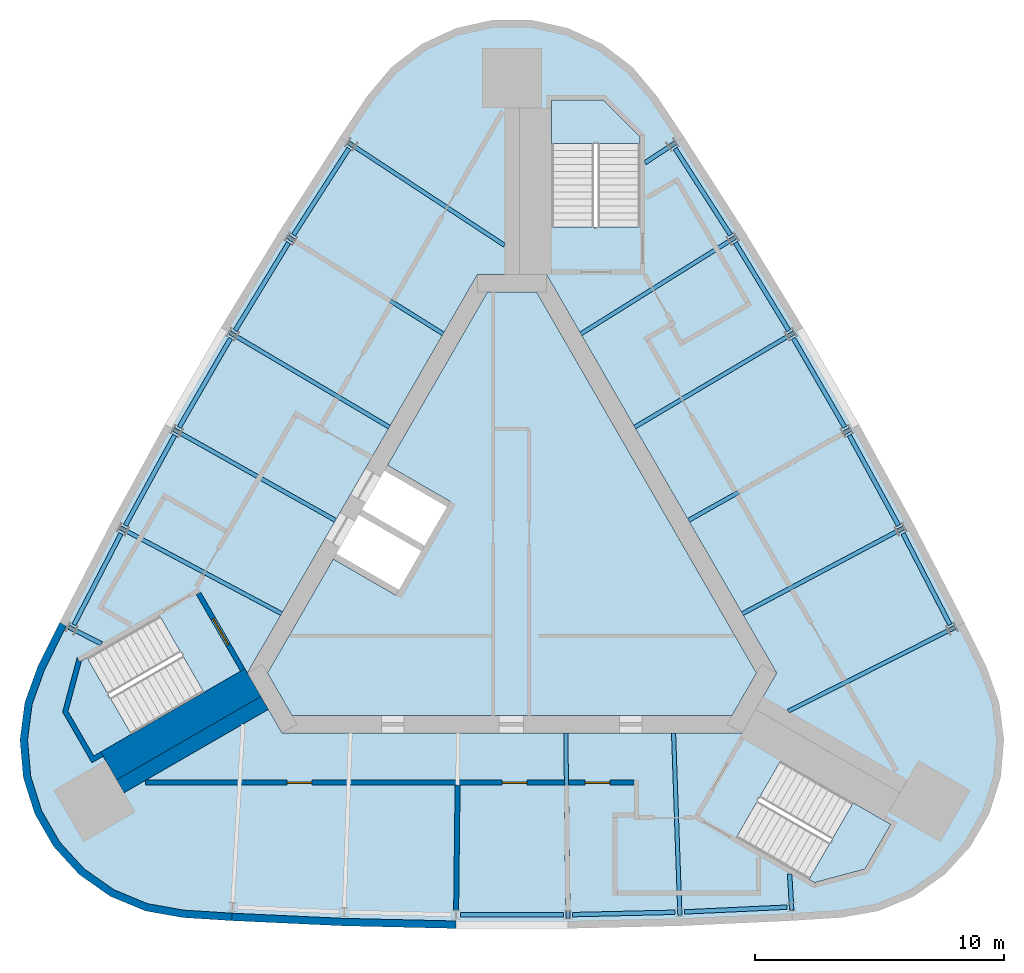
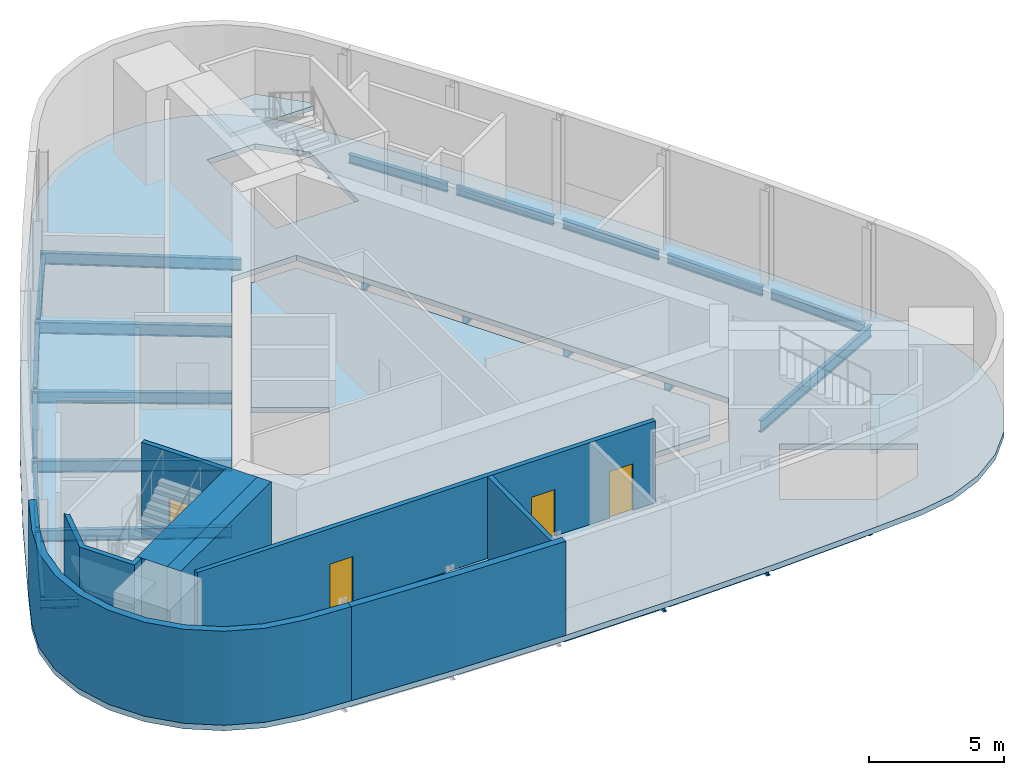
# One storey, part 3 of 7: 28 beams, 8 walls, 5 slabs, 4 doors, 4 openings, 3 elements without a shape of their own.
"""IFC4 building model written with IfcOpenShell, lengths in metres."""

from ifc_helpers import new_model, si_unit, direction, frame, frame_2d, origin, origin_2d, place, context, subcontext, project, spatial, polyline, rectangle, i_section, outline, extrude, material, layer, layer_set, material_profile, profile_set, type_object, element, fill, aggregate, save


model = new_model("IFC4")

# Units and contexts
model_context = context("Model", 3, precision=1e-05, world=origin(), true_north=direction((0.0, 1.0)))
body_context = subcontext(model_context, "Body", "Model", "MODEL_VIEW")
ifc_project = project(units=[si_unit("LENGTHUNIT", "METRE"), si_unit("AREAUNIT", "SQUARE_METRE"), si_unit("VOLUMEUNIT", "CUBIC_METRE"), si_unit("PLANEANGLEUNIT", "RADIAN"), si_unit("MASSUNIT", "GRAM", prefix="KILO")], contexts=[model_context])

# Site, building, storey
site_placement = place(None, origin())
site = spatial("IfcSite", under=ifc_project, at=site_placement, CompositionType="ELEMENT")
building_placement = place(site_placement, origin())
building = spatial("IfcBuilding", under=site, at=building_placement, Name="Noor Cloister Tower", CompositionType="ELEMENT")
storey_placement = place(building_placement, frame((0.0, 0.0, 284.10009765625)))
storey = spatial("IfcBuildingStorey", under=building, at=storey_placement, Name="L72", CompositionType="ELEMENT", Elevation=284.10009765625)

# Beams
ifc_material_1 = material(Name="Steel ASTM A992 Gr 50", Category="steel")
ifc_material_profile_1 = material_profile(ifc_material_1, i_section(OverallWidth=0.177978515625, OverallDepth=0.406005859375, WebThickness=0.0078125, FlangeThickness=0.0126953125, FilletRadius=0.01025390625, at=origin_2d()), Name="W410x60")
ifc_profile_set_1 = profile_set([ifc_material_profile_1], Name="Steel ASTM A992 Gr 50")
beam_type_1 = type_object("IfcBeamType", Name="Radial beam W410x60", PredefinedType="BEAM", material=ifc_profile_set_1)
for number, where, z_axis, x_axis, name in (
    (1, (-17.762451171875, -2.69921875, -0.453125), (0.893513410786, -0.449036507141, 0.0), (0.449036507141, 0.893513410786, 0.0), "Radial beam NW 06 L72"),
    (2, (11.218994140625, -14.033203125, -0.453125), (-0.058088486933, 0.998311438222, 0.0), (-0.998311438222, -0.058088486933, 0.0), "Radial beam S 06 L72"),
    (3, (6.543701171875, 16.732421875, -0.453125), (-0.835592525802, -0.549349734526, 0.0), (0.549349734526, -0.835592525802, 0.0), "Radial beam NE 06 L72"),
):
    element("IfcBeam", number, at=place(storey_placement, frame(where, z_axis=z_axis, x_axis=x_axis)), inside=storey, type_object=beam_type_1, Name=name, PredefinedType="BEAM", context=body_context, shape_type="SweptSolid", body=[
        extrude(i_section(OverallWidth=0.177978515625, OverallDepth=0.406005859375, WebThickness=0.0078125, FlangeThickness=0.0126953125, FilletRadius=0.01025390625, at=origin_2d()), origin(), (0.0, 0.0, 1.0), 1.44580078125),
    ])
ifc_material_2 = material(Name="Steel ASTM A992 Gr 50", Category="steel")
ifc_material_profile_2 = material_profile(ifc_material_2, i_section(OverallWidth=0.166015625, OverallDepth=0.528076171875, WebThickness=0.009765625, FlangeThickness=0.013671875, FilletRadius=0.0126953125, at=origin_2d()), Name="W530x74")
ifc_profile_set_2 = profile_set([ifc_material_profile_2], Name="Steel ASTM A992 Gr 50")
beam_type_2 = type_object("IfcBeamType", Name="Radial beam W530x74", PredefinedType="BEAM", material=ifc_profile_set_2)
beam_1_placement = place(storey_placement, frame((-6.543701171875, 16.732421875, -0.51416015625), z_axis=(0.835597066484, -0.549342827825, 0.0), x_axis=(0.549342827825, 0.835597066484, 0.0)))
element("IfcBeam", 4, at=beam_1_placement, inside=storey, type_object=beam_type_2, Name="Radial beam NW 01 L72", PredefinedType="BEAM", context=body_context, shape_type="SweptSolid", body=[
    extrude(i_section(OverallWidth=0.166015625, OverallDepth=0.528076171875, WebThickness=0.009765625, FlangeThickness=0.013671875, FilletRadius=0.0126953125, at=origin_2d()), origin(), (0.0, 0.0, 1.0), 7.47216796875),
])
beam_2_placement = place(storey_placement, frame((-8.966552734375, 12.952392578125, -0.51416015625), z_axis=(0.848095755563, -0.529842985606, 0.0), x_axis=(0.529842985606, 0.848095755563, 0.0)))
element("IfcBeam", 5, at=beam_2_placement, inside=storey, type_object=beam_type_2, Name="Radial beam NW 02 L72", PredefinedType="BEAM", context=body_context, shape_type="SweptSolid", body=[
    extrude(i_section(OverallWidth=0.166015625, OverallDepth=0.528076171875, WebThickness=0.009765625, FlangeThickness=0.013671875, FilletRadius=0.0126953125, at=origin_2d()), origin(), (0.0, 0.0, 1.0), 7.317626953125),
])
beam_3_placement = place(storey_placement, frame((-11.301025390625, 9.116943359375, -0.51416015625), z_axis=(0.8601674766, -0.510011678492, 0.0), x_axis=(0.510011678492, 0.8601674766, 0.0)))
element("IfcBeam", 6, at=beam_3_placement, inside=storey, type_object=beam_type_2, Name="Radial beam NW 03 L72", PredefinedType="BEAM", context=body_context, shape_type="SweptSolid", body=[
    extrude(i_section(OverallWidth=0.166015625, OverallDepth=0.528076171875, WebThickness=0.009765625, FlangeThickness=0.013671875, FilletRadius=0.0126953125, at=origin_2d()), origin(), (0.0, 0.0, 1.0), 7.41796875),
])
beam_4_placement = place(storey_placement, frame((-13.546142578125, 5.228515625, -0.51416015625), z_axis=(0.871771481583, -0.489912730901, 0.0), x_axis=(0.489912730901, 0.871771481583, 0.0)))
element("IfcBeam", 7, at=beam_4_placement, inside=storey, type_object=beam_type_2, Name="Radial beam NW 04 L72", PredefinedType="BEAM", context=body_context, shape_type="SweptSolid", body=[
    extrude(i_section(OverallWidth=0.166015625, OverallDepth=0.528076171875, WebThickness=0.009765625, FlangeThickness=0.013671875, FilletRadius=0.0126953125, at=origin_2d()), origin(), (0.0, 0.0, 1.0), 7.417724609375),
])
beam_5_placement = place(storey_placement, frame((-15.7001953125, 1.2890625, -0.51416015625), z_axis=(0.882900936167, -0.469559300745, 0.0), x_axis=(0.469559300745, 0.882900936167, 0.0)))
element("IfcBeam", 8, at=beam_5_placement, inside=storey, type_object=beam_type_2, Name="Radial beam NW 05 L72", PredefinedType="BEAM", context=body_context, shape_type="SweptSolid", body=[
    extrude(i_section(OverallWidth=0.166015625, OverallDepth=0.528076171875, WebThickness=0.009765625, FlangeThickness=0.013671875, FilletRadius=0.0126953125, at=origin_2d()), origin(), (0.0, 0.0, 1.0), 7.317626953125),
])
beam_6_placement = place(storey_placement, frame((2.244873046875, -14.345458984375, -0.51416015625), z_axis=(-0.011585411151, 0.999932886872, 0.0), x_axis=(-0.999932886872, -0.011585411151, 0.0)))
element("IfcBeam", 9, at=beam_6_placement, inside=storey, type_object=beam_type_2, Name="Radial beam S 04 L72", PredefinedType="BEAM", context=body_context, shape_type="SweptSolid", body=[
    extrude(i_section(OverallWidth=0.166015625, OverallDepth=0.528076171875, WebThickness=0.009765625, FlangeThickness=0.013671875, FilletRadius=0.0126953125, at=origin_2d()), origin(), (0.0, 0.0, 1.0), 7.417724609375),
])
beam_7_placement = place(storey_placement, frame((6.733642578125, -14.241455078125, -0.51416015625), z_axis=(-0.034764484893, 0.999395532605, 0.0), x_axis=(-0.999395532605, -0.034764484893, 0.0)))
element("IfcBeam", 10, at=beam_7_placement, inside=storey, type_object=beam_type_2, Name="Radial beam S 05 L72", PredefinedType="BEAM", context=body_context, shape_type="SweptSolid", body=[
    extrude(i_section(OverallWidth=0.166015625, OverallDepth=0.528076171875, WebThickness=0.009765625, FlangeThickness=0.013671875, FilletRadius=0.0126953125, at=origin_2d()), origin(), (0.0, 0.0, 1.0), 7.317626953125),
])
beam_8_placement = place(storey_placement, frame((17.762451171875, -2.69921875, -0.51416015625), z_axis=(-0.893543245424, -0.448977135897, 0.0), x_axis=(0.448977135897, -0.893543245424, 0.0)))
element("IfcBeam", 11, at=beam_8_placement, inside=storey, type_object=beam_type_2, Name="Radial beam NE 01 L72", PredefinedType="BEAM", context=body_context, shape_type="SweptSolid", body=[
    extrude(i_section(OverallWidth=0.166015625, OverallDepth=0.528076171875, WebThickness=0.009765625, FlangeThickness=0.013671875, FilletRadius=0.0126953125, at=origin_2d()), origin(), (0.0, 0.0, 1.0), 7.471923828125),
])
beam_9_placement = place(storey_placement, frame((15.7001953125, 1.2890625, -0.51416015625), z_axis=(-0.882900936167, -0.469559300745, 0.0), x_axis=(0.469559300745, -0.882900936167, 0.0)))
element("IfcBeam", 12, at=beam_9_placement, inside=storey, type_object=beam_type_2, Name="Radial beam NE 02 L72", PredefinedType="BEAM", context=body_context, shape_type="SweptSolid", body=[
    extrude(i_section(OverallWidth=0.166015625, OverallDepth=0.528076171875, WebThickness=0.009765625, FlangeThickness=0.013671875, FilletRadius=0.0126953125, at=origin_2d()), origin(), (0.0, 0.0, 1.0), 7.317626953125),
])
beam_10_placement = place(storey_placement, frame((13.546142578125, 5.228515625, -0.51416015625), z_axis=(-0.871771481583, -0.489912730901, 0.0), x_axis=(0.489912730901, -0.871771481583, 0.0)))
element("IfcBeam", 13, at=beam_10_placement, inside=storey, type_object=beam_type_2, Name="Radial beam NE 03 L72", PredefinedType="BEAM", context=body_context, shape_type="SweptSolid", body=[
    extrude(i_section(OverallWidth=0.166015625, OverallDepth=0.528076171875, WebThickness=0.009765625, FlangeThickness=0.013671875, FilletRadius=0.0126953125, at=origin_2d()), origin(), (0.0, 0.0, 1.0), 7.417724609375),
])
beam_11_placement = place(storey_placement, frame((11.301025390625, 9.116943359375, -0.51416015625), z_axis=(-0.8601674766, -0.510011678492, 0.0), x_axis=(0.510011678492, -0.8601674766, 0.0)))
element("IfcBeam", 14, at=beam_11_placement, inside=storey, type_object=beam_type_2, Name="Radial beam NE 04 L72", PredefinedType="BEAM", context=body_context, shape_type="SweptSolid", body=[
    extrude(i_section(OverallWidth=0.166015625, OverallDepth=0.528076171875, WebThickness=0.009765625, FlangeThickness=0.013671875, FilletRadius=0.0126953125, at=origin_2d()), origin(), (0.0, 0.0, 1.0), 7.41796875),
])
beam_12_placement = place(storey_placement, frame((8.966552734375, 12.952392578125, -0.51416015625), z_axis=(-0.848095755563, -0.529842985606, 0.0), x_axis=(0.529842985606, -0.848095755563, 0.0)))
element("IfcBeam", 15, at=beam_12_placement, inside=storey, type_object=beam_type_2, Name="Radial beam NE 05 L72", PredefinedType="BEAM", context=body_context, shape_type="SweptSolid", body=[
    extrude(i_section(OverallWidth=0.166015625, OverallDepth=0.528076171875, WebThickness=0.009765625, FlangeThickness=0.013671875, FilletRadius=0.0126953125, at=origin_2d()), origin(), (0.0, 0.0, 1.0), 7.317626953125),
])
ifc_material_3 = material(Name="Steel ASTM A992 Gr 50", Category="steel")
ifc_material_profile_3 = material_profile(ifc_material_3, i_section(OverallWidth=0.177978515625, OverallDepth=0.406005859375, WebThickness=0.0078125, FlangeThickness=0.0126953125, FilletRadius=0.01025390625, at=origin_2d()), Name="W410x60")
ifc_profile_set_3 = profile_set([ifc_material_profile_3], Name="Steel ASTM A992 Gr 50")
beam_type_3 = type_object("IfcBeamType", Name="Spandrel beam W410x60", PredefinedType="SPANDREL", material=ifc_profile_set_3)
for number, where, z_axis, x_axis, name in (
    (16, (-6.541015625, 16.510498046875, -0.453125), (-0.539591790673, -0.841926777956, 0.0), (0.841926777956, -0.539591790673, 0.0), "Spandrel beam NW 01 L72"),
    (17, (-8.958740234375, 12.73046875, -0.453125), (-0.519967629608, -0.854185965794, 0.0), (0.854185965794, -0.519967629608, 0.0), "Spandrel beam NW 02 L72"),
    (18, (-11.2880859375, 8.8955078125, -0.453125), (-0.499989236795, -0.866031617834, 0.0), (0.866031617834, -0.499989236795, 0.0), "Spandrel beam NW 03 L72"),
    (19, (-13.528076171875, 5.00732421875, -0.453125), (-0.479794519486, -0.877380885973, 0.0), (0.877380885973, -0.479794519486, 0.0), "Spandrel beam NW 04 L72"),
    (20, (-15.677001953125, 1.068359375, -0.453125), (-0.459334235581, -0.888263508213, 0.0), (0.888263508213, -0.459334235581, 0.0), "Spandrel beam NW 05 L72"),
    (21, (-2.0595703125, -14.2236328125, -0.453125), (1.0, 0.0, 0.0), (0.0, 1.0, 0.0), "Spandrel beam S 03 L72"),
):
    element("IfcBeam", number, at=place(storey_placement, frame(where, z_axis=z_axis, x_axis=x_axis)), inside=storey, type_object=beam_type_3, Name=name, PredefinedType="SPANDREL", context=body_context, shape_type="SweptSolid", body=[
        extrude(i_section(OverallWidth=0.177978515625, OverallDepth=0.406005859375, WebThickness=0.0078125, FlangeThickness=0.0126953125, FilletRadius=0.01025390625, at=origin_2d()), origin(), (0.0, 0.0, 1.0), 4.119140625),
    ])
beam_13_placement = place(storey_placement, frame((2.427490234375, -14.21923828125, -0.453125), z_axis=(0.999731452345, 0.023173760841, 0.0), x_axis=(-0.023173760841, 0.999731452345, 0.0)))
element("IfcBeam", 22, at=beam_13_placement, inside=storey, type_object=beam_type_3, Name="Spandrel beam S 04 L72", PredefinedType="SPANDREL", context=body_context, shape_type="SweptSolid", body=[
    extrude(i_section(OverallWidth=0.177978515625, OverallDepth=0.406005859375, WebThickness=0.0078125, FlangeThickness=0.0126953125, FilletRadius=0.01025390625, at=origin_2d()), origin(), (0.0, 0.0, 1.0), 4.119384765625),
])
for number, where, z_axis, x_axis, name in (
    (23, (6.913330078125, -14.11083984375, -0.453125), (0.998925325351, 0.046348617801, 0.0), (-0.046348617801, 0.998925325351, 0.0), "Spandrel beam S 05 L72"),
    (24, (17.569091796875, -2.590576171875, -0.453125), (-0.459334235581, 0.888263508213, 0.0), (-0.888263508213, -0.459334235581, 0.0), "Spandrel beam NE 01 L72"),
    (25, (15.50439453125, 1.393310546875, -0.453125), (-0.479794519486, 0.877380885973, 0.0), (-0.877380885973, -0.479794519486, 0.0), "Spandrel beam NE 02 L72"),
    (26, (13.34765625, 5.328125, -0.453125), (-0.499989236795, 0.866031617834, 0.0), (-0.866031617834, -0.499989236795, 0.0), "Spandrel beam NE 03 L72"),
    (27, (11.1005859375, 9.2119140625, -0.453125), (-0.519967629608, 0.854185965794, 0.0), (-0.854185965794, -0.519967629608, 0.0), "Spandrel beam NE 04 L72"),
    (28, (8.763671875, 13.04248046875, -0.453125), (-0.539591790673, 0.841926777956, 0.0), (-0.841926777956, -0.539591790673, 0.0), "Spandrel beam NE 05 L72"),
):
    element("IfcBeam", number, at=place(storey_placement, frame(where, z_axis=z_axis, x_axis=x_axis)), inside=storey, type_object=beam_type_3, Name=name, PredefinedType="SPANDREL", context=body_context, shape_type="SweptSolid", body=[
        extrude(i_section(OverallWidth=0.177978515625, OverallDepth=0.406005859375, WebThickness=0.0078125, FlangeThickness=0.0126953125, FilletRadius=0.01025390625, at=origin_2d()), origin(), (0.0, 0.0, 1.0), 4.119140625),
    ])

# Slabs
ifc_material_4 = material(Name="Concrete C40/50", Category="concrete")
ifc_layer_1 = layer(ifc_material_4, 0.25)
ifc_layer_set_1 = layer_set([ifc_layer_1], Name="Core floor slab 250 C40/50")
slab_type_1 = type_object("IfcSlabType", Name="Core floor slab 250 C40/50", PredefinedType="FLOOR", material=ifc_layer_set_1)
slab_1_placement = place(storey_placement, frame((0.0, 0.0, -0.25)))
element("IfcSlab", 29, at=slab_1_placement, inside=storey, type_object=slab_type_1, Name="Core floor L72", PredefinedType="FLOOR", context=body_context, shape_type="SweptSolid", body=[
    extrude(outline(polyline([(-4.993896484375, 3.806884765625), (-2.482421875, 2.35693359375), (-4.6572265625, -1.410400390625), (-7.168701171875, 0.039794921875), (-9.80615234375, -4.5283203125), (-8.82470703125, -6.228271484375), (8.82470703125, -6.228271484375), (9.80615234375, -4.5283203125), (0.9814453125, 10.75634765625), (-0.9814453125, 10.75634765625), (-4.993896484375, 3.806884765625)])), origin(), (0.0, 0.0, 1.0), 0.25),
])
ifc_material_5 = material(Name="Concrete C40/50", Category="concrete")
ifc_layer_2 = layer(ifc_material_5, 0.25)
ifc_layer_set_2 = layer_set([ifc_layer_2], Name="Floor slab 250 C40/50")
slab_type_2 = type_object("IfcSlabType", Name="Floor slab 250 C40/50", PredefinedType="FLOOR", material=ifc_layer_set_2)
slab_2_placement = place(storey_placement, frame((0.0, 0.0, -0.25)))
element("IfcSlab", 30, at=slab_2_placement, inside=storey, type_object=slab_type_2, Name="Floor slab L72", PredefinedType="FLOOR", context=body_context, shape_type="SweptSolid", body=[
    extrude(outline(polyline([(5.809814453125, 18.609619140625), (4.830078125, 19.771484375), (3.62255859375, 20.69482421875), (2.244140625, 21.33544921875), (0.760009765625, 21.66357421875), (-0.760009765625, 21.66357421875), (-2.244140625, 21.33544921875), (-3.62255859375, 20.69482421875), (-4.830078125, 19.771484375), (-5.809814453125, 18.609619140625), (-6.9013671875, 16.967529296875), (-9.32958984375, 13.178955078125), (-11.669189453125, 9.335205078125), (-13.919189453125, 5.438232421875), (-16.078125, 1.489990234375), (-18.14501953125, -2.507080078125), (-19.021240234375, -4.2734375), (-19.53759765625, -5.702880859375), (-19.7333984375, -7.210205078125), (-19.59912109375, -8.724365234375), (-19.14111328125, -10.173583984375), (-18.381103515625, -11.489990234375), (-17.35498046875, -12.611083984375), (-16.11083984375, -13.484619140625), (-14.707763671875, -14.068603515625), (-13.21142578125, -14.336181640625), (-11.24365234375, -14.46044921875), (-6.74853515625, -14.669189453125), (-2.25, -14.7734375), (2.25, -14.7734375), (6.74853515625, -14.669189453125), (11.24365234375, -14.46044921875), (13.21142578125, -14.336181640625), (14.707763671875, -14.068603515625), (16.11083984375, -13.484619140625), (17.35498046875, -12.611083984375), (18.381103515625, -11.489990234375), (19.14111328125, -10.173583984375), (19.59912109375, -8.724365234375), (19.7333984375, -7.210205078125), (19.53759765625, -5.702880859375), (19.021240234375, -4.2734375), (18.14501953125, -2.507080078125), (16.078125, 1.489990234375), (13.919189453125, 5.438232421875), (11.669189453125, 9.335205078125), (9.32958984375, 13.178955078125), (6.9013671875, 16.967529296875), (5.809814453125, 18.609619140625)]), holes=[polyline([(8.999755859375, -11.126220703125), (12.131591796875, -12.934326171875), (14.1572265625, -12.3916015625), (15.19091796875, -10.601318359375), (10.774658203125, -8.0517578125), (8.999755859375, -11.126220703125)]), polyline([(-17.81005859375, -6.064697265625), (-16.776611328125, -7.85498046875), (-12.3603515625, -5.305419921875), (-14.13525390625, -2.23095703125), (-16.662841796875, -3.690185546875), (-17.267333984375, -4.039306640625), (-17.81005859375, -6.064697265625)]), polyline([(-10.6142578125, -4.5283203125), (-9.228759765625, -6.92822265625), (9.228759765625, -6.92822265625), (10.6142578125, -4.5283203125), (1.3857421875, 11.456298828125), (-1.3857421875, 11.456298828125), (-10.6142578125, -4.5283203125)]), polyline([(3.65283203125, 18.456298828125), (1.585693359375, 18.456298828125), (1.585693359375, 13.35693359375), (5.135498046875, 13.35693359375), (5.135498046875, 16.9736328125), (3.65283203125, 18.456298828125)])]), origin(), (0.0, 0.0, 1.0), 0.25),
])

# Stair, slab
ifc_material_6 = material(Name="Concrete C40/50", Category="concrete")
stair_type = type_object("IfcStairType", Name="Exit stair 26 risers", PredefinedType="HALF_TURN_STAIR", material=ifc_material_6)
stair_1_placement = place(storey_placement, origin())
stair_1 = element("IfcStair", 31, at=stair_1_placement, inside=storey, type_object=stair_type, Name="Exit stair ST1 L72", PredefinedType="HALF_TURN_STAIR")
ifc_material_7 = material(Name="Concrete C40/50", Category="concrete")
ifc_layer_3 = layer(ifc_material_7, 0.199951171875)
ifc_layer_set_3 = layer_set([ifc_layer_3], Name="Stair landing 200 C40/50")
slab_type_3 = type_object("IfcSlabType", Name="Stair landing 200 C40/50", PredefinedType="LANDING", material=ifc_layer_set_3)
slab_3_placement = place(storey_placement, frame((0.0, 0.0, 2.0498046875)))
slab_3 = element("IfcSlab", 32, at=slab_3_placement, type_object=slab_type_3, Name="ST1 landing 1", PredefinedType="LANDING", context=body_context, shape_type="SweptSolid", body=[
    extrude(outline(polyline([(5.135498046875, 16.7158203125), (5.135498046875, 16.9736328125), (3.65283203125, 18.456298828125), (1.585693359375, 18.456298828125), (1.585693359375, 16.7158203125), (5.135498046875, 16.7158203125)])), origin(), (0.0, 0.0, 1.0), 0.2001953125),
])
aggregate(stair_1, [slab_3])

stair_2_placement = place(storey_placement, origin())
stair_2 = element("IfcStair", 33, at=stair_2_placement, inside=storey, type_object=stair_type, Name="Exit stair ST2 L72", PredefinedType="HALF_TURN_STAIR")
slab_4_placement = place(storey_placement, frame((0.0, 0.0, 2.0498046875)))
slab_4 = element("IfcSlab", 34, at=slab_4_placement, type_object=slab_type_3, Name="ST2 landing 1", PredefinedType="LANDING", context=body_context, shape_type="SweptSolid", body=[
    extrude(outline(polyline([(-17.044189453125, -3.910400390625), (-17.267333984375, -4.039306640625), (-17.81005859375, -6.064697265625), (-16.776611328125, -7.85498046875), (-15.26904296875, -6.984619140625), (-17.044189453125, -3.910400390625)])), origin(), (0.0, 0.0, 1.0), 0.2001953125),
])
aggregate(stair_2, [slab_4])

stair_3_placement = place(storey_placement, origin())
stair_3 = element("IfcStair", 35, at=stair_3_placement, inside=storey, type_object=stair_type, Name="Exit stair ST3 L72", PredefinedType="HALF_TURN_STAIR")
slab_5_placement = place(storey_placement, frame((0.0, 0.0, 2.0498046875)))
slab_5 = element("IfcSlab", 36, at=slab_5_placement, type_object=slab_type_3, Name="ST3 landing 1", PredefinedType="LANDING", context=body_context, shape_type="SweptSolid", body=[
    extrude(outline(polyline([(11.908447265625, -12.805419921875), (12.131591796875, -12.934326171875), (14.1572265625, -12.3916015625), (15.19091796875, -10.601318359375), (13.68359375, -9.731201171875), (11.908447265625, -12.805419921875)])), origin(), (0.0, 0.0, 1.0), 0.2001953125),
])
aggregate(stair_3, [slab_5])

# Walls
ifc_material_8 = material(Name="Concrete C50/60", Category="concrete")
ifc_layer_4 = layer(ifc_material_8, 0.60009765625)
ifc_layer_set_4 = layer_set([ifc_layer_4], Name="Buttress wall 600 C50/60")
wall_type_1 = type_object("IfcWallType", Name="Buttress wall 600 C50/60", PredefinedType="SHEAR", material=ifc_layer_set_4)
wall_1_placement = place(storey_placement, frame((-9.921630859375, -5.728271484375, -0.25), z_axis=(0.0, 0.0, 1.0), x_axis=(-0.866032176823, -0.499988268569, 0.0)))
element("IfcWall", 37, at=wall_1_placement, inside=storey, type_object=wall_type_1, Name="Buttress wall SW L72", PredefinedType="SHEAR", context=body_context, shape_type="SweptSolid", body=[
    extrude(rectangle(XDim=6.678466796875, YDim=0.60009765625, at=frame_2d((3.33935546875, 0.0))), origin(), (0.0, 0.0, 1.0), 4.5),
])
ifc_material_9 = material(Name="Limestone", Category="masonry")
ifc_layer_5 = layer(ifc_material_9, 0.300048828125)
ifc_layer_set_5 = layer_set([ifc_layer_5], Name="Limestone cladding 300")
wall_type_2 = type_object("IfcWallType", Name="Limestone cladding 300", PredefinedType="NOTDEFINED", material=ifc_layer_set_5)
wall_2_placement = place(storey_placement, origin())
element("IfcWall", 38, at=wall_2_placement, inside=storey, type_object=wall_type_2, Name="Limestone pier cladding L72 1.1", PredefinedType="NOTDEFINED", context=body_context, shape_type="SweptSolid", body=[
    extrude(outline(polyline([(-18.14501953125, -2.507080078125), (-19.021240234375, -4.2734375), (-19.53759765625, -5.702880859375), (-19.7333984375, -7.210205078125), (-19.59912109375, -8.724365234375), (-19.14111328125, -10.173583984375), (-18.381103515625, -11.489990234375), (-17.35498046875, -12.611083984375), (-16.11083984375, -13.484619140625), (-14.707763671875, -14.068603515625), (-13.21142578125, -14.336181640625), (-11.24365234375, -14.46044921875), (-11.224853515625, -14.1611328125), (-13.175537109375, -14.037841796875), (-14.62255859375, -13.779052734375), (-15.96533203125, -13.22021484375), (-17.15576171875, -12.384521484375), (-18.1376953125, -11.3115234375), (-18.864990234375, -10.052001953125), (-19.30322265625, -8.6650390625), (-19.431640625, -7.21630859375), (-19.244384765625, -5.77392578125), (-18.744873046875, -4.391357421875), (-17.876220703125, -2.640380859375), (-18.14501953125, -2.507080078125)])), origin(), (0.0, 0.0, 1.0), 4.25),
])
ifc_material_10 = material(Name="Limestone", Category="masonry")
ifc_layer_6 = layer(ifc_material_10, 0.300048828125)
ifc_layer_set_6 = layer_set([ifc_layer_6], Name="Limestone panel wall 300")
wall_type_3 = type_object("IfcWallType", Name="Limestone panel wall 300", PredefinedType="NOTDEFINED", material=ifc_layer_set_6)
wall_3_placement = place(storey_placement, origin())
element("IfcWall", 39, at=wall_3_placement, inside=storey, type_object=wall_type_3, Name="Limestone crown wall L72 2a", PredefinedType="NOTDEFINED", context=body_context, shape_type="SweptSolid", body=[
    extrude(outline(polyline([(-11.24365234375, -14.46044921875), (-6.74853515625, -14.669189453125), (-2.25, -14.7734375), (-2.242919921875, -14.4736328125), (-6.73828125, -14.369384765625), (-11.229736328125, -14.160888671875), (-11.24365234375, -14.46044921875)])), origin(), (0.0, 0.0, 1.0), 4.25),
])
ifc_material_11 = material(Name="Concrete C50/60", Category="concrete")
ifc_layer_7 = layer(ifc_material_11, 1.285888671875)
ifc_layer_set_7 = layer_set([ifc_layer_7], Name="Stair enclosure wall 1286 C50/60")
wall_type_4 = type_object("IfcWallType", Name="Stair enclosure wall 1286 C50/60", PredefinedType="SHEAR", material=ifc_layer_set_7)
wall_4_placement = place(storey_placement, frame((-10.392822265625, -4.91162109375, -0.25), z_axis=(0.0, 0.0, 1.0), x_axis=(-0.866025486527, -0.499999856685, 0.0)))
element("IfcWall", 40, at=wall_4_placement, inside=storey, type_object=wall_type_4, Name="Stair enclosure wall ST2 L72 riser side", PredefinedType="SHEAR", context=body_context, shape_type="SweptSolid", body=[
    extrude(rectangle(XDim=6.6787109375, YDim=1.28564453125, at=frame_2d((3.33935546875, 0.0))), origin(), (0.0, 0.0, 1.0), 4.5),
])

# Wall, opening, door
ifc_material_12 = material(Name="Concrete C50/60", Category="concrete")
ifc_layer_8 = layer(ifc_material_12, 0.199951171875)
ifc_layer_set_8 = layer_set([ifc_layer_8], Name="Stair enclosure wall 200 C50/60")
wall_type_5 = type_object("IfcWallType", Name="Stair enclosure wall 200 C50/60", PredefinedType="SHEAR", material=ifc_layer_set_8)
wall_5_placement = place(storey_placement, frame((-12.575927734375, -1.33056640625, -0.25), z_axis=(0.0, 0.0, 1.0), x_axis=(0.499970499736, -0.8660424351, 0.0)))
wall_5 = element("IfcWall", 41, at=wall_5_placement, inside=storey, type_object=wall_type_5, Name="Stair enclosure wall ST2 L72 near end", PredefinedType="SHEAR", context=body_context, shape_type="SweptSolid", body=[
    extrude(rectangle(XDim=3.550048828125, YDim=0.199951171875, at=frame_2d((1.77490234375, 0.0))), origin(), (0.0, 0.0, 1.0), 4.5),
])
opening_1_placement = place(wall_5_placement, frame((1.175048828125, 0.0, 0.25)))
opening_1 = element("IfcOpeningElement", 42, at=opening_1_placement, cuts=wall_5, Name="Opening L72-ST2L", PredefinedType="OPENING", context=body_context, shape_type="SweptSolid", body=[
    extrude(rectangle(XDim=1.199951171875, YDim=2.10009765625, at=frame_2d((0.60009765625, 1.050048828125))), frame((0.0, 0.10986328125, 0.0), z_axis=(0.0, -1.0, 0.0), x_axis=(1.0, 0.0, 0.0)), (0.0, 0.0, 1.0), 0.219970703125),
])
ifc_material_13 = material(Name="Steel", Category="steel")
door_type_1 = type_object("IfcDoorType", Name="Stair door 1200 x 2100 FD120", OperationType="SINGLE_SWING_LEFT", PredefinedType="DOOR", material=ifc_material_13)
door_1_placement = place(opening_1_placement, origin())
door_1 = element("IfcDoor", 43, at=door_1_placement, inside=storey, type_object=door_type_1, Name="Stair door ST2 L72", OperationType="SINGLE_SWING_RIGHT", OverallHeight=2.10009765625, OverallWidth=1.199951171875, PredefinedType="DOOR", context=body_context, shape_type="SweptSolid", body=[
    extrude(rectangle(XDim=1.199951171875, YDim=2.10009765625, at=frame_2d((0.60009765625, 1.050048828125))), frame((0.0, 0.02490234375, 0.0), z_axis=(0.0, -1.0, 0.0), x_axis=(1.0, 0.0, 0.0)), (0.0, 0.0, 1.0), 0.050048828125),
])
fill(opening_1, door_1)

# Wall
ifc_material_14 = material(Name="Concrete C50/60", Category="concrete")
wall_type_6 = type_object("IfcWallType", Name="Stair far end wall C50/60", PredefinedType="SHEAR", material=ifc_material_14)
wall_6_placement = place(storey_placement, frame((0.0, 0.0, -0.25)))
element("IfcWall", 44, at=wall_6_placement, inside=storey, type_object=wall_type_6, Name="Stair enclosure wall ST2 L72 far end", PredefinedType="SHEAR", context=body_context, shape_type="SweptSolid", body=[
    extrude(outline(polyline([(-17.439208984375, -3.907470703125), (-18.024658203125, -6.093017578125), (-16.849609375, -8.128173828125), (-16.398193359375, -7.867431640625), (-16.498291015625, -7.6943359375), (-16.498291015625, -7.6943359375), (-16.776611328125, -7.85498046875), (-17.81005859375, -6.064697265625), (-17.267333984375, -4.039306640625), (-17.339111328125, -4.08056640625), (-17.339111328125, -4.08056640625), (-17.339111328125, -4.08056640625), (-17.339111328125, -4.08056640625), (-17.339111328125, -4.08056640625), (-17.339111328125, -4.08056640625), (-17.339111328125, -4.08056640625), (-17.339111328125, -4.08056640625), (-17.339111328125, -4.08056640625), (-17.339111328125, -4.08056640625), (-17.339111328125, -4.08056640625), (-17.339111328125, -4.08056640625), (-17.339111328125, -4.08056640625), (-17.339111328125, -4.08056640625), (-17.339111328125, -4.08056640625), (-17.339111328125, -4.08056640625), (-17.339111328125, -4.08056640625), (-17.439208984375, -3.907470703125)])), origin(), (0.0, 0.0, 1.0), 4.5),
])

# Wall, openings, doors
ifc_material_15 = material(Name="Concrete block wall, 200 mm", Category="concrete")
ifc_layer_9 = layer(ifc_material_15, 0.199951171875)
ifc_layer_set_9 = layer_set([ifc_layer_9], Name="Upper floor plant room wall 200")
wall_type_7 = type_object("IfcWallType", Name="Upper floor plant room wall 200", PredefinedType="PARTITIONING", material=ifc_layer_set_9)
wall_7_placement = place(storey_placement, frame((-14.69091796875, -8.92822265625, 0.0), z_axis=(0.0, 0.0, 1.0), x_axis=(1.0, 0.0, 0.0)))
wall_7 = element("IfcWall", 45, at=wall_7_placement, inside=storey, type_object=wall_type_7, Name="Upper floor plant room wall 200 L72 011", PredefinedType="PARTITIONING", context=body_context, shape_type="SweptSolid", body=[
    extrude(rectangle(XDim=19.5908203125, YDim=0.199951171875, at=frame_2d((9.79541015625, 0.0))), origin(), (0.0, 0.0, 1.0), 3.701904296875),
])
opening_2_placement = place(wall_7_placement, frame((5.667724609375, 0.0, 0.0)))
opening_2 = element("IfcOpeningElement", 46, at=opening_2_placement, cuts=wall_7, Name="Opening L72-005", PredefinedType="OPENING", context=body_context, shape_type="SweptSolid", body=[
    extrude(rectangle(XDim=1.0, YDim=2.10009765625, at=frame_2d((0.5, 1.050048828125))), frame((0.0, 0.10986328125, 0.0), z_axis=(0.0, -1.0, 0.0), x_axis=(1.0, 0.0, 0.0)), (0.0, 0.0, 1.0), 0.219970703125),
])
opening_3_placement = place(wall_7_placement, frame((14.29345703125, 0.0, 0.0)))
opening_3 = element("IfcOpeningElement", 47, at=opening_3_placement, cuts=wall_7, Name="Opening L72-006", PredefinedType="OPENING", context=body_context, shape_type="SweptSolid", body=[
    extrude(rectangle(XDim=1.0, YDim=2.10009765625, at=frame_2d((0.5, 1.050048828125))), frame((0.0, 0.10986328125, 0.0), z_axis=(0.0, -1.0, 0.0), x_axis=(1.0, 0.0, 0.0)), (0.0, 0.0, 1.0), 0.219970703125),
])
opening_4_placement = place(wall_7_placement, frame((17.62548828125, 0.0, 0.0)))
opening_4 = element("IfcOpeningElement", 48, at=opening_4_placement, cuts=wall_7, Name="Opening L72-007", PredefinedType="OPENING", context=body_context, shape_type="SweptSolid", body=[
    extrude(rectangle(XDim=1.0, YDim=2.10009765625, at=frame_2d((0.5, 1.050048828125))), frame((0.0, 0.10986328125, 0.0), z_axis=(0.0, -1.0, 0.0), x_axis=(1.0, 0.0, 0.0)), (0.0, 0.0, 1.0), 0.219970703125),
])
ifc_material_16 = material(Name="Timber door leaf with steel frame", Category="steel")
door_type_2 = type_object("IfcDoorType", Name="Plant room door 1000", OperationType="NOTDEFINED", PredefinedType="DOOR", material=ifc_material_16)
door_2_placement = place(opening_2_placement, origin())
door_2 = element("IfcDoor", 49, at=door_2_placement, inside=storey, type_object=door_type_2, Name="Plant room door 1000 L72-005", OperationType="SINGLE_SWING_LEFT", OverallHeight=2.10009765625, OverallWidth=1.0, PredefinedType="DOOR", context=body_context, shape_type="SweptSolid", body=[
    extrude(rectangle(XDim=1.0, YDim=2.10009765625, at=frame_2d((0.5, 1.050048828125))), frame((0.0, 0.02490234375, 0.0), z_axis=(0.0, -1.0, 0.0), x_axis=(1.0, 0.0, 0.0)), (0.0, 0.0, 1.0), 0.050048828125),
])
fill(opening_2, door_2)
door_3_placement = place(opening_3_placement, origin())
door_3 = element("IfcDoor", 50, at=door_3_placement, inside=storey, type_object=door_type_2, Name="Plant room door 1000 L72-006", OperationType="SINGLE_SWING_RIGHT", OverallHeight=2.10009765625, OverallWidth=1.0, PredefinedType="DOOR", context=body_context, shape_type="SweptSolid", body=[
    extrude(rectangle(XDim=1.0, YDim=2.10009765625, at=frame_2d((0.5, 1.050048828125))), frame((0.0, 0.02490234375, 0.0), z_axis=(0.0, -1.0, 0.0), x_axis=(1.0, 0.0, 0.0)), (0.0, 0.0, 1.0), 0.050048828125),
])
fill(opening_3, door_3)
door_4_placement = place(opening_4_placement, origin())
door_4 = element("IfcDoor", 51, at=door_4_placement, inside=storey, type_object=door_type_2, Name="Plant room door 1000 L72-007", OperationType="SINGLE_SWING_RIGHT", OverallHeight=2.10009765625, OverallWidth=1.0, PredefinedType="DOOR", context=body_context, shape_type="SweptSolid", body=[
    extrude(rectangle(XDim=1.0, YDim=2.10009765625, at=frame_2d((0.5, 1.050048828125))), frame((0.0, 0.02490234375, 0.0), z_axis=(0.0, -1.0, 0.0), x_axis=(1.0, 0.0, 0.0)), (0.0, 0.0, 1.0), 0.050048828125),
])
fill(opening_4, door_4)

# Wall
wall_8_placement = place(storey_placement, frame((-2.24169921875, -14.073486328125, 0.0), z_axis=(0.0, 0.0, 1.0), x_axis=(0.011566914048, 0.999933101012, 0.0)))
element("IfcWall", 52, at=wall_8_placement, inside=storey, type_object=wall_type_7, Name="Upper floor plant room wall 200 L72 012", PredefinedType="PARTITIONING", context=body_context, shape_type="SweptSolid", body=[
    extrude(rectangle(XDim=5.04443359375, YDim=0.199951171875, at=frame_2d((2.522216796875, 0.0))), origin(), (0.0, 0.0, 1.0), 3.701904296875),
])

save(model, "model.ifc")
